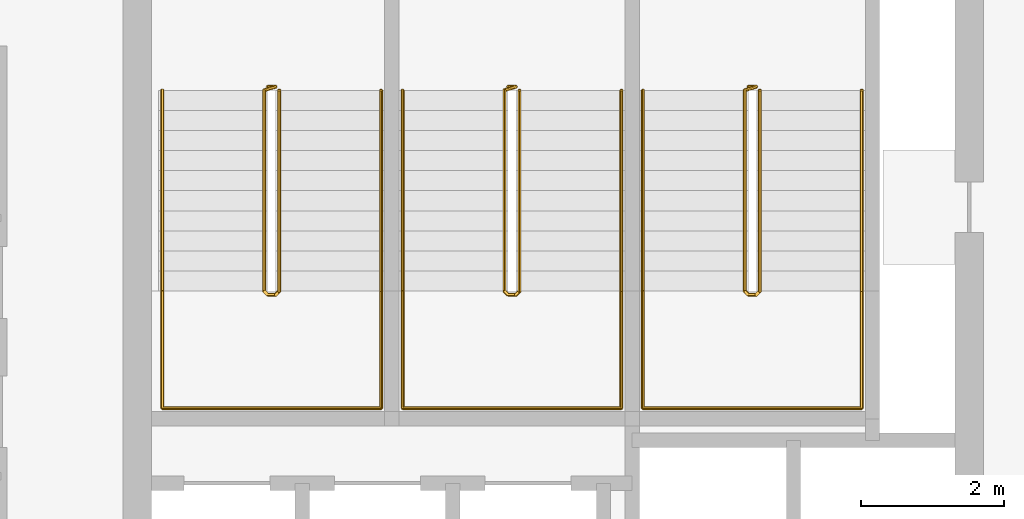
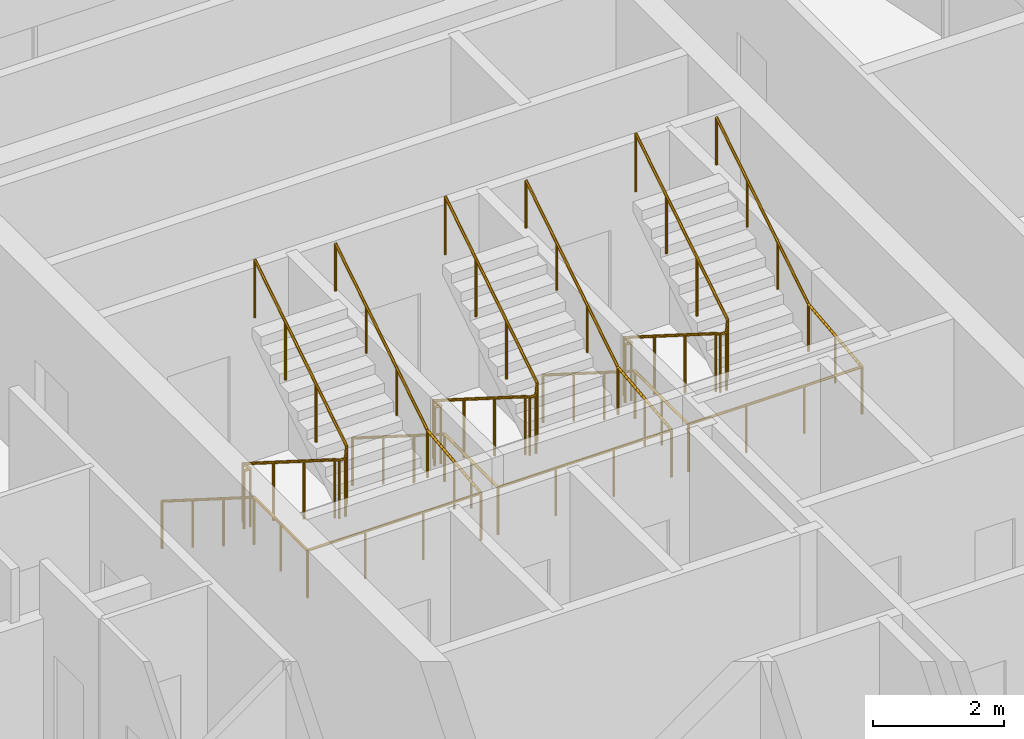
# One storey, part 9 of 9: 6 railings.
"""IFC4 building model written with IfcOpenShell, lengths in metres."""

from ifc_helpers import new_model, si_unit, direction, frame, origin, origin_2d, place, context, subcontext, project, spatial, circle, extrude, material, type_object, element, save


model = new_model("IFC4")

# Units and contexts
model_context = context("Model", 3, precision=1e-05, world=origin(), true_north=direction((0.0, 1.0)))
body_context = subcontext(model_context, "Body", "Model", "MODEL_VIEW")
ifc_project = project(units=[si_unit("LENGTHUNIT", "METRE"), si_unit("AREAUNIT", "SQUARE_METRE"), si_unit("VOLUMEUNIT", "CUBIC_METRE"), si_unit("PLANEANGLEUNIT", "RADIAN"), si_unit("MASSUNIT", "GRAM", prefix="KILO")], contexts=[model_context])

# Site, building, storey
site_placement = place(None, origin())
site = spatial("IfcSite", under=ifc_project, at=site_placement, CompositionType="ELEMENT")
building_placement = place(site_placement, origin())
building = spatial("IfcBuilding", under=site, at=building_placement, Name="Tessera Arch", CompositionType="ELEMENT")
storey_placement = place(building_placement, frame((0.0, 0.0, 246.199951171875)))
storey = spatial("IfcBuildingStorey", under=building, at=storey_placement, Name="L59", CompositionType="ELEMENT", Elevation=246.199951171875)

# Railings
ifc_material_1 = material(Name="Painted steel balustrade", Category="steel")
railing_type_1 = type_object("IfcRailingType", Name="Stair guard 1100", PredefinedType="GUARDRAIL", material=ifc_material_1)
railing_1_placement = place(storey_placement, frame((38.219970703125, 43.6298828125, 0.0)))
element("IfcRailing", 1, at=railing_1_placement, inside=storey, type_object=railing_type_1, Name="L59 S1a stair guard 1", PredefinedType="GUARDRAIL", context=body_context, shape_type="SweptSolid", body=[
    extrude(circle(Radius=0.02392578125, at=origin_2d()), frame((-0.00390625, 0.0, 1.076171875), z_axis=(1.0, 0.0, 0.0), x_axis=(0.0, 1.0, 0.0)), (0.0, 0.0, 1.0), 0.1181640625),
    extrude(circle(Radius=0.02392578125, at=origin_2d()), frame((0.11279296875, 0.000732421875, 1.0732421875), z_axis=(-0.656319048605, -0.204099216335, 0.726353093426), x_axis=(0.296948579431, -0.954893471113, 0.0)), (0.0, 0.0, 1.0), 0.251953125),
    extrude(circle(Radius=0.02392578125, at=origin_2d()), frame((-0.050048828125, -0.04638671875, 1.251220703125), z_axis=(0.0, -0.844908973607, 0.534910110503), x_axis=(1.0, 0.0, 0.0)), (0.0, 0.0, 1.0), 3.322021484375),
    extrude(circle(Radius=0.02392578125, at=origin_2d()), frame((-0.052978515625, -2.846923828125, 3.02587890625), z_axis=(0.707106781187, -0.707106781187, 0.0), x_axis=(0.707106781187, 0.707106781187, 0.0)), (0.0, 0.0, 1.0), 0.078857421875),
    extrude(circle(Radius=0.02392578125, at=origin_2d()), frame((-0.00390625, -2.89990234375, 3.02587890625), z_axis=(1.0, 0.0, 0.0), x_axis=(0.0, 1.0, 0.0)), (0.0, 0.0, 1.0), 0.1181640625),
    extrude(circle(Radius=0.02392578125, at=origin_2d()), frame((0.109130859375, -2.90087890625, 3.022216796875), z_axis=(0.260731885961, 0.262009983441, 0.929176868105), x_axis=(-0.708833529934, 0.705375805398, 0.0)), (0.0, 0.0, 1.0), 0.198974609375),
    extrude(circle(Radius=0.02392578125, at=origin_2d()), frame((0.159912109375, -2.853271484375, 3.201416015625), z_axis=(0.0, 0.844908973607, 0.534910110503), x_axis=(-1.0, 0.0, 0.0)), (0.0, 0.0, 1.0), 3.322021484375),
    extrude(circle(Radius=0.02099609375, at=origin_2d()), origin(), (0.0, 0.0, 1.0), 1.06396484375),
    extrude(circle(Radius=0.02099609375, at=origin_2d()), frame((0.110107421875, 0.0, 0.0)), (0.0, 0.0, 1.0), 1.06396484375),
    extrude(circle(Radius=0.02099609375, at=origin_2d()), frame((-0.050048828125, -0.0498046875, 0.17724609375)), (0.0, 0.0, 1.0), 1.06396484375),
    extrude(circle(Radius=0.02099609375, at=origin_2d()), frame((-0.050048828125, -0.983154296875, 0.76806640625)), (0.0, 0.0, 1.0), 1.06396484375),
    extrude(circle(Radius=0.02099609375, at=origin_2d()), frame((-0.050048828125, -1.91650390625, 1.359130859375)), (0.0, 0.0, 1.0), 1.06396484375),
    extrude(circle(Radius=0.02099609375, at=origin_2d()), frame((-0.050048828125, -2.849853515625, 1.949951171875)), (0.0, 0.0, 1.0), 1.06396484375),
    extrude(circle(Radius=0.02099609375, at=origin_2d()), frame((0.0, -2.89990234375, 1.949951171875)), (0.0, 0.0, 1.0), 1.06396484375),
    extrude(circle(Radius=0.02099609375, at=origin_2d()), frame((0.110107421875, -2.89990234375, 1.949951171875)), (0.0, 0.0, 1.0), 1.06396484375),
    extrude(circle(Radius=0.02099609375, at=origin_2d()), frame((0.159912109375, -2.849853515625, 2.12744140625)), (0.0, 0.0, 1.0), 1.06396484375),
    extrude(circle(Radius=0.02099609375, at=origin_2d()), frame((0.159912109375, -1.91650390625, 2.71826171875)), (0.0, 0.0, 1.0), 1.06396484375),
    extrude(circle(Radius=0.02099609375, at=origin_2d()), frame((0.159912109375, -0.983154296875, 3.309326171875)), (0.0, 0.0, 1.0), 1.06396484375),
    extrude(circle(Radius=0.02099609375, at=origin_2d()), frame((0.159912109375, -0.0498046875, 3.900146484375)), (0.0, 0.0, 1.0), 1.06396484375),
])
railing_2_placement = place(storey_placement, frame((41.570068359375, 43.6298828125, 0.0)))
element("IfcRailing", 2, at=railing_2_placement, inside=storey, type_object=railing_type_1, Name="L59 S1b stair guard 1", PredefinedType="GUARDRAIL", context=body_context, shape_type="SweptSolid", body=[
    extrude(circle(Radius=0.02392578125, at=origin_2d()), frame((-0.00390625, 0.0, 1.076171875), z_axis=(1.0, 0.0, 0.0), x_axis=(0.0, 1.0, 0.0)), (0.0, 0.0, 1.0), 0.117919921875),
    extrude(circle(Radius=0.02392578125, at=origin_2d()), frame((0.112548828125, 0.000732421875, 1.0732421875), z_axis=(-0.65574896516, -0.204233265485, 0.726830150696), x_axis=(0.297361876254, -0.954764847777, 0.0)), (0.0, 0.0, 1.0), 0.251953125),
    extrude(circle(Radius=0.02392578125, at=origin_2d()), frame((-0.050048828125, -0.04638671875, 1.251220703125), z_axis=(0.0, -0.844908973607, 0.534910110503), x_axis=(1.0, 0.0, 0.0)), (0.0, 0.0, 1.0), 3.322021484375),
    extrude(circle(Radius=0.02392578125, at=origin_2d()), frame((-0.052978515625, -2.846923828125, 3.02587890625), z_axis=(0.707106781187, -0.707106781187, 0.0), x_axis=(0.707106781187, 0.707106781187, 0.0)), (0.0, 0.0, 1.0), 0.078857421875),
    extrude(circle(Radius=0.02392578125, at=origin_2d()), frame((-0.00390625, -2.89990234375, 3.02587890625), z_axis=(1.0, 0.0, 0.0), x_axis=(0.0, 1.0, 0.0)), (0.0, 0.0, 1.0), 0.117919921875),
    extrude(circle(Radius=0.02392578125, at=origin_2d()), frame((0.10888671875, -2.90087890625, 3.022216796875), z_axis=(0.261922500866, 0.261922500866, 0.928866625022), x_axis=(-0.707106781187, 0.707106781187, 0.0)), (0.0, 0.0, 1.0), 0.198974609375),
    extrude(circle(Radius=0.02392578125, at=origin_2d()), frame((0.159912109375, -2.853271484375, 3.201416015625), z_axis=(0.0, 0.844908973607, 0.534910110503), x_axis=(-1.0, 0.0, 0.0)), (0.0, 0.0, 1.0), 3.322021484375),
    extrude(circle(Radius=0.02099609375, at=origin_2d()), origin(), (0.0, 0.0, 1.0), 1.06396484375),
    extrude(circle(Radius=0.02099609375, at=origin_2d()), frame((0.10986328125, 0.0, 0.0)), (0.0, 0.0, 1.0), 1.06396484375),
    extrude(circle(Radius=0.02099609375, at=origin_2d()), frame((-0.050048828125, -0.0498046875, 0.17724609375)), (0.0, 0.0, 1.0), 1.06396484375),
    extrude(circle(Radius=0.02099609375, at=origin_2d()), frame((-0.050048828125, -0.983154296875, 0.76806640625)), (0.0, 0.0, 1.0), 1.06396484375),
    extrude(circle(Radius=0.02099609375, at=origin_2d()), frame((-0.050048828125, -1.91650390625, 1.359130859375)), (0.0, 0.0, 1.0), 1.06396484375),
    extrude(circle(Radius=0.02099609375, at=origin_2d()), frame((-0.050048828125, -2.849853515625, 1.949951171875)), (0.0, 0.0, 1.0), 1.06396484375),
    extrude(circle(Radius=0.02099609375, at=origin_2d()), frame((0.0, -2.89990234375, 1.949951171875)), (0.0, 0.0, 1.0), 1.06396484375),
    extrude(circle(Radius=0.02099609375, at=origin_2d()), frame((0.10986328125, -2.89990234375, 1.949951171875)), (0.0, 0.0, 1.0), 1.06396484375),
    extrude(circle(Radius=0.02099609375, at=origin_2d()), frame((0.159912109375, -2.849853515625, 2.12744140625)), (0.0, 0.0, 1.0), 1.06396484375),
    extrude(circle(Radius=0.02099609375, at=origin_2d()), frame((0.159912109375, -1.91650390625, 2.71826171875)), (0.0, 0.0, 1.0), 1.06396484375),
    extrude(circle(Radius=0.02099609375, at=origin_2d()), frame((0.159912109375, -0.983154296875, 3.309326171875)), (0.0, 0.0, 1.0), 1.06396484375),
    extrude(circle(Radius=0.02099609375, at=origin_2d()), frame((0.159912109375, -0.0498046875, 3.900146484375)), (0.0, 0.0, 1.0), 1.06396484375),
])
railing_3_placement = place(storey_placement, frame((44.919921875, 43.6298828125, 0.0)))
element("IfcRailing", 3, at=railing_3_placement, inside=storey, type_object=railing_type_1, Name="L59 S1c stair guard 1", PredefinedType="GUARDRAIL", context=body_context, shape_type="SweptSolid", body=[
    extrude(circle(Radius=0.02392578125, at=origin_2d()), frame((-0.00390625, 0.0, 1.076171875), z_axis=(1.0, 0.0, 0.0), x_axis=(0.0, 1.0, 0.0)), (0.0, 0.0, 1.0), 0.1181640625),
    extrude(circle(Radius=0.02392578125, at=origin_2d()), frame((0.11279296875, 0.000732421875, 1.0732421875), z_axis=(-0.65574896516, -0.204233265485, 0.726830150696), x_axis=(0.297361876254, -0.954764847777, 0.0)), (0.0, 0.0, 1.0), 0.251953125),
    extrude(circle(Radius=0.02392578125, at=origin_2d()), frame((-0.0498046875, -0.04638671875, 1.251220703125), z_axis=(0.0, -0.844908973607, 0.534910110503), x_axis=(1.0, 0.0, 0.0)), (0.0, 0.0, 1.0), 3.322021484375),
    extrude(circle(Radius=0.02392578125, at=origin_2d()), frame((-0.052734375, -2.846923828125, 3.02587890625), z_axis=(0.705375805398, -0.708833529934, 0.0), x_axis=(0.708833529934, 0.705375805398, 0.0)), (0.0, 0.0, 1.0), 0.07861328125),
    extrude(circle(Radius=0.02392578125, at=origin_2d()), frame((-0.00390625, -2.89990234375, 3.02587890625), z_axis=(1.0, 0.0, 0.0), x_axis=(0.0, 1.0, 0.0)), (0.0, 0.0, 1.0), 0.1181640625),
    extrude(circle(Radius=0.02392578125, at=origin_2d()), frame((0.109130859375, -2.90087890625, 3.022216796875), z_axis=(0.261922500866, 0.261922500866, 0.928866625022), x_axis=(-0.707106781187, 0.707106781187, 0.0)), (0.0, 0.0, 1.0), 0.198974609375),
    extrude(circle(Radius=0.02392578125, at=origin_2d()), frame((0.16015625, -2.853271484375, 3.201416015625), z_axis=(0.0, 0.844908973607, 0.534910110503), x_axis=(-1.0, 0.0, 0.0)), (0.0, 0.0, 1.0), 3.322021484375),
    extrude(circle(Radius=0.02099609375, at=origin_2d()), origin(), (0.0, 0.0, 1.0), 1.06396484375),
    extrude(circle(Radius=0.02099609375, at=origin_2d()), frame((0.110107421875, 0.0, 0.0)), (0.0, 0.0, 1.0), 1.06396484375),
    extrude(circle(Radius=0.02099609375, at=origin_2d()), frame((-0.0498046875, -0.0498046875, 0.17724609375)), (0.0, 0.0, 1.0), 1.06396484375),
    extrude(circle(Radius=0.02099609375, at=origin_2d()), frame((-0.0498046875, -0.983154296875, 0.76806640625)), (0.0, 0.0, 1.0), 1.06396484375),
    extrude(circle(Radius=0.02099609375, at=origin_2d()), frame((-0.0498046875, -1.91650390625, 1.359130859375)), (0.0, 0.0, 1.0), 1.06396484375),
    extrude(circle(Radius=0.02099609375, at=origin_2d()), frame((-0.0498046875, -2.849853515625, 1.949951171875)), (0.0, 0.0, 1.0), 1.06396484375),
    extrude(circle(Radius=0.02099609375, at=origin_2d()), frame((0.0, -2.89990234375, 1.949951171875)), (0.0, 0.0, 1.0), 1.06396484375),
    extrude(circle(Radius=0.02099609375, at=origin_2d()), frame((0.110107421875, -2.89990234375, 1.949951171875)), (0.0, 0.0, 1.0), 1.06396484375),
    extrude(circle(Radius=0.02099609375, at=origin_2d()), frame((0.16015625, -2.849853515625, 2.12744140625)), (0.0, 0.0, 1.0), 1.06396484375),
    extrude(circle(Radius=0.02099609375, at=origin_2d()), frame((0.16015625, -1.91650390625, 2.71826171875)), (0.0, 0.0, 1.0), 1.06396484375),
    extrude(circle(Radius=0.02099609375, at=origin_2d()), frame((0.16015625, -0.983154296875, 3.309326171875)), (0.0, 0.0, 1.0), 1.06396484375),
    extrude(circle(Radius=0.02099609375, at=origin_2d()), frame((0.16015625, -0.0498046875, 3.900146484375)), (0.0, 0.0, 1.0), 1.06396484375),
])
ifc_material_2 = material(Name="Painted steel handrail", Category="steel")
railing_type_2 = type_object("IfcRailingType", Name="Stair handrail 900", PredefinedType="HANDRAIL", material=ifc_material_2)
railing_4_placement = place(storey_placement, frame((36.75, 43.580078125, 0.17724609375)))
element("IfcRailing", 4, at=railing_4_placement, inside=storey, type_object=railing_type_2, Name="L59 S1a stair handrail", PredefinedType="HANDRAIL", context=body_context, shape_type="SweptSolid", body=[
    extrude(circle(Radius=0.02392578125, at=origin_2d()), frame((0.0, 0.00341796875, 0.873779296875), z_axis=(0.0, -0.844908973607, 0.534910110503), x_axis=(1.0, 0.0, 0.0)), (0.0, 0.0, 1.0), 3.322021484375),
    extrude(circle(Radius=0.02392578125, at=origin_2d()), frame((0.0, -2.796142578125, 2.6484375), z_axis=(0.0, -1.0, 0.0), x_axis=(1.0, 0.0, 0.0)), (0.0, 0.0, 1.0), 1.63818359375),
    extrude(circle(Radius=0.02392578125, at=origin_2d()), frame((-0.00390625, -4.43017578125, 2.6484375), z_axis=(1.0, 0.0, 0.0), x_axis=(0.0, 1.0, 0.0)), (0.0, 0.0, 1.0), 3.05810546875),
    extrude(circle(Radius=0.02392578125, at=origin_2d()), frame((3.050048828125, -4.43408203125, 2.648193359375), z_axis=(0.0, 0.994124627078, 0.108241516233), x_axis=(-1.0, 0.0, 0.0)), (0.0, 0.0, 1.0), 1.647705078125),
    extrude(circle(Radius=0.02392578125, at=origin_2d()), frame((3.050048828125, -2.803466796875, 2.823974609375), z_axis=(0.0, 0.844908973607, 0.534910110503), x_axis=(-1.0, 0.0, 0.0)), (0.0, 0.0, 1.0), 3.322021484375),
    extrude(circle(Radius=0.02099609375, at=origin_2d()), origin(), (0.0, 0.0, 1.0), 0.86376953125),
    extrude(circle(Radius=0.02099609375, at=origin_2d()), frame((0.0, -0.933349609375, 0.5908203125)), (0.0, 0.0, 1.0), 0.86376953125),
    extrude(circle(Radius=0.02099609375, at=origin_2d()), frame((0.0, -1.86669921875, 1.181884765625)), (0.0, 0.0, 1.0), 0.86376953125),
    extrude(circle(Radius=0.02099609375, at=origin_2d()), frame((0.0, -2.800048828125, 1.772705078125)), (0.0, 0.0, 1.0), 0.86376953125),
    extrude(circle(Radius=0.02099609375, at=origin_2d()), frame((0.0, -3.615234375, 1.772705078125)), (0.0, 0.0, 1.0), 0.86376953125),
    extrude(circle(Radius=0.02099609375, at=origin_2d()), frame((0.0, -4.43017578125, 1.772705078125)), (0.0, 0.0, 1.0), 0.86376953125),
    extrude(circle(Radius=0.02099609375, at=origin_2d()), frame((1.0166015625, -4.43017578125, 1.772705078125)), (0.0, 0.0, 1.0), 0.86376953125),
    extrude(circle(Radius=0.02099609375, at=origin_2d()), frame((2.033447265625, -4.43017578125, 1.772705078125)), (0.0, 0.0, 1.0), 0.86376953125),
    extrude(circle(Radius=0.02099609375, at=origin_2d()), frame((3.050048828125, -4.43017578125, 1.772705078125)), (0.0, 0.0, 1.0), 0.86376953125),
    extrude(circle(Radius=0.02099609375, at=origin_2d()), frame((3.050048828125, -3.615234375, 1.861328125)), (0.0, 0.0, 1.0), 0.86376953125),
    extrude(circle(Radius=0.02099609375, at=origin_2d()), frame((3.050048828125, -2.800048828125, 1.9501953125)), (0.0, 0.0, 1.0), 0.86376953125),
    extrude(circle(Radius=0.02099609375, at=origin_2d()), frame((3.050048828125, -1.86669921875, 2.541015625)), (0.0, 0.0, 1.0), 0.86376953125),
    extrude(circle(Radius=0.02099609375, at=origin_2d()), frame((3.050048828125, -0.933349609375, 3.132080078125)), (0.0, 0.0, 1.0), 0.86376953125),
    extrude(circle(Radius=0.02099609375, at=origin_2d()), frame((3.050048828125, 0.0, 3.722900390625)), (0.0, 0.0, 1.0), 0.86376953125),
])
railing_5_placement = place(storey_placement, frame((40.10009765625, 43.580078125, 0.17724609375)))
element("IfcRailing", 5, at=railing_5_placement, inside=storey, type_object=railing_type_2, Name="L59 S1b stair handrail", PredefinedType="HANDRAIL", context=body_context, shape_type="SweptSolid", body=[
    extrude(circle(Radius=0.02392578125, at=origin_2d()), frame((0.0, 0.00341796875, 0.873779296875), z_axis=(0.0, -0.844908973607, 0.534910110503), x_axis=(1.0, 0.0, 0.0)), (0.0, 0.0, 1.0), 3.322021484375),
    extrude(circle(Radius=0.02392578125, at=origin_2d()), frame((0.0, -2.796142578125, 2.6484375), z_axis=(0.0, -1.0, 0.0), x_axis=(1.0, 0.0, 0.0)), (0.0, 0.0, 1.0), 1.63818359375),
    extrude(circle(Radius=0.02392578125, at=origin_2d()), frame((-0.00390625, -4.43017578125, 2.6484375), z_axis=(1.0, 0.0, 0.0), x_axis=(0.0, 1.0, 0.0)), (0.0, 0.0, 1.0), 3.057861328125),
    extrude(circle(Radius=0.02392578125, at=origin_2d()), frame((3.0498046875, -4.43408203125, 2.648193359375), z_axis=(0.0, 0.994124627078, 0.108241516233), x_axis=(-1.0, 0.0, 0.0)), (0.0, 0.0, 1.0), 1.647705078125),
    extrude(circle(Radius=0.02392578125, at=origin_2d()), frame((3.0498046875, -2.803466796875, 2.823974609375), z_axis=(0.0, 0.844908973607, 0.534910110503), x_axis=(-1.0, 0.0, 0.0)), (0.0, 0.0, 1.0), 3.322021484375),
    extrude(circle(Radius=0.02099609375, at=origin_2d()), origin(), (0.0, 0.0, 1.0), 0.86376953125),
    extrude(circle(Radius=0.02099609375, at=origin_2d()), frame((0.0, -0.933349609375, 0.5908203125)), (0.0, 0.0, 1.0), 0.86376953125),
    extrude(circle(Radius=0.02099609375, at=origin_2d()), frame((0.0, -1.86669921875, 1.181884765625)), (0.0, 0.0, 1.0), 0.86376953125),
    extrude(circle(Radius=0.02099609375, at=origin_2d()), frame((0.0, -2.800048828125, 1.772705078125)), (0.0, 0.0, 1.0), 0.86376953125),
    extrude(circle(Radius=0.02099609375, at=origin_2d()), frame((0.0, -3.615234375, 1.772705078125)), (0.0, 0.0, 1.0), 0.86376953125),
    extrude(circle(Radius=0.02099609375, at=origin_2d()), frame((0.0, -4.43017578125, 1.772705078125)), (0.0, 0.0, 1.0), 0.86376953125),
    extrude(circle(Radius=0.02099609375, at=origin_2d()), frame((1.0166015625, -4.43017578125, 1.772705078125)), (0.0, 0.0, 1.0), 0.86376953125),
    extrude(circle(Radius=0.02099609375, at=origin_2d()), frame((2.033203125, -4.43017578125, 1.772705078125)), (0.0, 0.0, 1.0), 0.86376953125),
    extrude(circle(Radius=0.02099609375, at=origin_2d()), frame((3.0498046875, -4.43017578125, 1.772705078125)), (0.0, 0.0, 1.0), 0.86376953125),
    extrude(circle(Radius=0.02099609375, at=origin_2d()), frame((3.0498046875, -3.615234375, 1.861328125)), (0.0, 0.0, 1.0), 0.86376953125),
    extrude(circle(Radius=0.02099609375, at=origin_2d()), frame((3.0498046875, -2.800048828125, 1.9501953125)), (0.0, 0.0, 1.0), 0.86376953125),
    extrude(circle(Radius=0.02099609375, at=origin_2d()), frame((3.0498046875, -1.86669921875, 2.541015625)), (0.0, 0.0, 1.0), 0.86376953125),
    extrude(circle(Radius=0.02099609375, at=origin_2d()), frame((3.0498046875, -0.933349609375, 3.132080078125)), (0.0, 0.0, 1.0), 0.86376953125),
    extrude(circle(Radius=0.02099609375, at=origin_2d()), frame((3.0498046875, 0.0, 3.722900390625)), (0.0, 0.0, 1.0), 0.86376953125),
])
railing_6_placement = place(storey_placement, frame((43.449951171875, 43.580078125, 0.17724609375)))
element("IfcRailing", 6, at=railing_6_placement, inside=storey, type_object=railing_type_2, Name="L59 S1c stair handrail", PredefinedType="HANDRAIL", context=body_context, shape_type="SweptSolid", body=[
    extrude(circle(Radius=0.02392578125, at=origin_2d()), frame((0.0, 0.00341796875, 0.873779296875), z_axis=(0.0, -0.844908973607, 0.534910110503), x_axis=(1.0, 0.0, 0.0)), (0.0, 0.0, 1.0), 3.322021484375),
    extrude(circle(Radius=0.02392578125, at=origin_2d()), frame((0.0, -2.796142578125, 2.6484375), z_axis=(0.0, -1.0, 0.0), x_axis=(1.0, 0.0, 0.0)), (0.0, 0.0, 1.0), 1.63818359375),
    extrude(circle(Radius=0.02392578125, at=origin_2d()), frame((-0.00390625, -4.43017578125, 2.6484375), z_axis=(1.0, 0.0, 0.0), x_axis=(0.0, 1.0, 0.0)), (0.0, 0.0, 1.0), 3.05810546875),
    extrude(circle(Radius=0.02392578125, at=origin_2d()), frame((3.050048828125, -4.43408203125, 2.648193359375), z_axis=(0.0, 0.994124627078, 0.108241516233), x_axis=(-1.0, 0.0, 0.0)), (0.0, 0.0, 1.0), 1.647705078125),
    extrude(circle(Radius=0.02392578125, at=origin_2d()), frame((3.050048828125, -2.803466796875, 2.823974609375), z_axis=(0.0, 0.844908973607, 0.534910110503), x_axis=(-1.0, 0.0, 0.0)), (0.0, 0.0, 1.0), 3.322021484375),
    extrude(circle(Radius=0.02099609375, at=origin_2d()), origin(), (0.0, 0.0, 1.0), 0.86376953125),
    extrude(circle(Radius=0.02099609375, at=origin_2d()), frame((0.0, -0.933349609375, 0.5908203125)), (0.0, 0.0, 1.0), 0.86376953125),
    extrude(circle(Radius=0.02099609375, at=origin_2d()), frame((0.0, -1.86669921875, 1.181884765625)), (0.0, 0.0, 1.0), 0.86376953125),
    extrude(circle(Radius=0.02099609375, at=origin_2d()), frame((0.0, -2.800048828125, 1.772705078125)), (0.0, 0.0, 1.0), 0.86376953125),
    extrude(circle(Radius=0.02099609375, at=origin_2d()), frame((0.0, -3.615234375, 1.772705078125)), (0.0, 0.0, 1.0), 0.86376953125),
    extrude(circle(Radius=0.02099609375, at=origin_2d()), frame((0.0, -4.43017578125, 1.772705078125)), (0.0, 0.0, 1.0), 0.86376953125),
    extrude(circle(Radius=0.02099609375, at=origin_2d()), frame((1.0166015625, -4.43017578125, 1.772705078125)), (0.0, 0.0, 1.0), 0.86376953125),
    extrude(circle(Radius=0.02099609375, at=origin_2d()), frame((2.033447265625, -4.43017578125, 1.772705078125)), (0.0, 0.0, 1.0), 0.86376953125),
    extrude(circle(Radius=0.02099609375, at=origin_2d()), frame((3.050048828125, -4.43017578125, 1.772705078125)), (0.0, 0.0, 1.0), 0.86376953125),
    extrude(circle(Radius=0.02099609375, at=origin_2d()), frame((3.050048828125, -3.615234375, 1.861328125)), (0.0, 0.0, 1.0), 0.86376953125),
    extrude(circle(Radius=0.02099609375, at=origin_2d()), frame((3.050048828125, -2.800048828125, 1.9501953125)), (0.0, 0.0, 1.0), 0.86376953125),
    extrude(circle(Radius=0.02099609375, at=origin_2d()), frame((3.050048828125, -1.86669921875, 2.541015625)), (0.0, 0.0, 1.0), 0.86376953125),
    extrude(circle(Radius=0.02099609375, at=origin_2d()), frame((3.050048828125, -0.933349609375, 3.132080078125)), (0.0, 0.0, 1.0), 0.86376953125),
    extrude(circle(Radius=0.02099609375, at=origin_2d()), frame((3.050048828125, 0.0, 3.722900390625)), (0.0, 0.0, 1.0), 0.86376953125),
])

save(model, "model.ifc")
